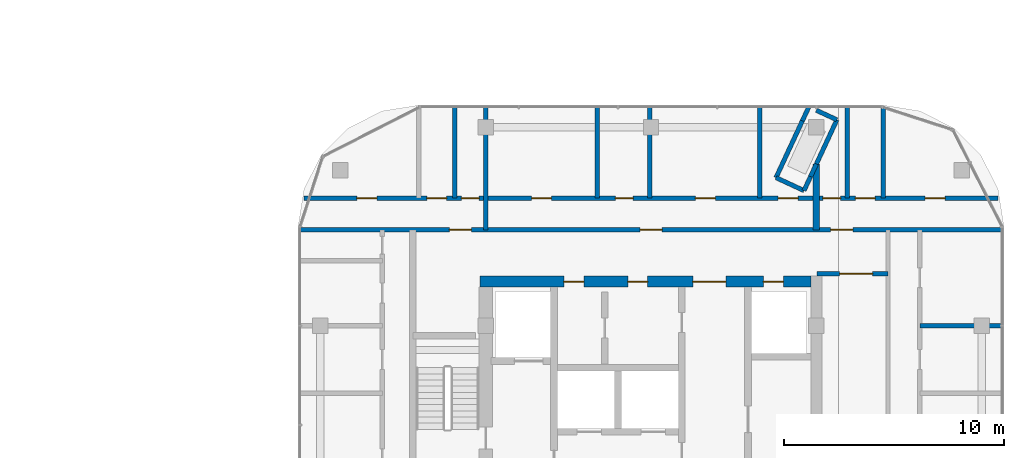
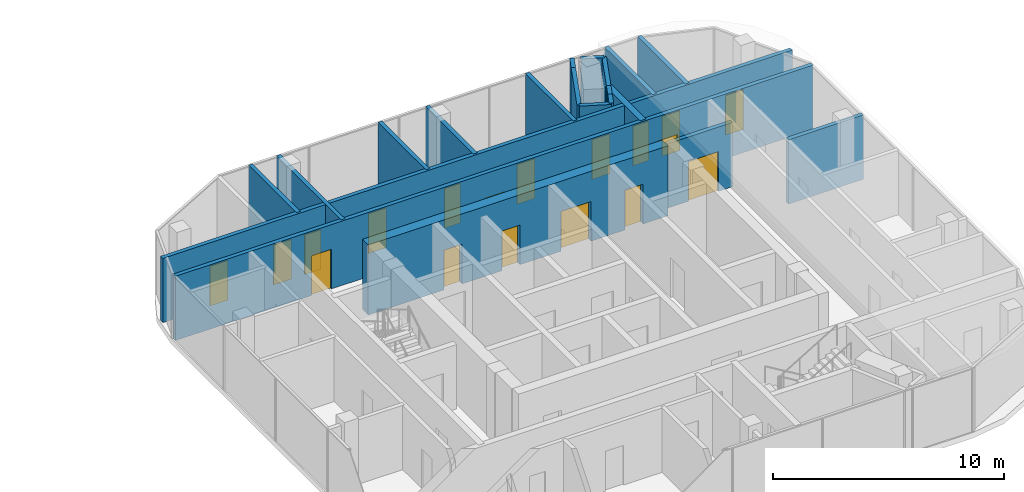
# One storey, part 26 of 35: 20 walls, 18 doors, 18 openings.
"""IFC4 building model written with IfcOpenShell, lengths in metres."""

from ifc_helpers import new_model, si_unit, direction, frame, frame_2d, origin, place, context, subcontext, project, spatial, rectangle, extrude, material, layer, layer_set, type_object, element, fill, save


model = new_model("IFC4")

# Units and contexts
model_context = context("Model", 3, precision=1e-05, world=origin(), true_north=direction((0.0, 1.0)))
body_context = subcontext(model_context, "Body", "Model", "MODEL_VIEW")
ifc_project = project(units=[si_unit("LENGTHUNIT", "METRE"), si_unit("AREAUNIT", "SQUARE_METRE"), si_unit("VOLUMEUNIT", "CUBIC_METRE"), si_unit("PLANEANGLEUNIT", "RADIAN"), si_unit("MASSUNIT", "GRAM", prefix="KILO")], contexts=[model_context])

# Site, building, storey
site_placement = place(None, origin())
site = spatial("IfcSite", under=ifc_project, at=site_placement, CompositionType="ELEMENT")
building_placement = place(site_placement, origin())
building = spatial("IfcBuilding", under=site, at=building_placement, Name="Ogive Portal Towers", CompositionType="ELEMENT")
storey_placement = place(building_placement, frame((0.0, 0.0, 90.800048828125)))
storey = spatial("IfcBuildingStorey", under=building, at=storey_placement, Name="L21", CompositionType="ELEMENT", Elevation=90.800048828125)

# Wall, openings, doors
ifc_material_1 = material(Name="Concrete C60/75", Category="concrete")
ifc_layer_1 = layer(ifc_material_1, 0.5)
ifc_layer_set_1 = layer_set([ifc_layer_1], Name="CORE WALL 500 C60")
wall_type_1 = type_object("IfcWallType", Name="CORE WALL 500 C60", PredefinedType="SHEAR", material=ifc_layer_set_1)
wall_1_placement = place(storey_placement, frame((128.75, 37.5, 0.0), z_axis=(0.0, 0.0, 1.0), x_axis=(1.0, 0.0, 0.0)))
wall_1 = element("IfcWall", 1, at=wall_1_placement, inside=storey, type_object=wall_type_1, Name="Tower B core wall BN L21", PredefinedType="SHEAR", context=body_context, shape_type="SweptSolid", body=[
    extrude(rectangle(XDim=15.0, YDim=0.5, at=frame_2d((7.5, 0.0))), origin(), (0.0, 0.0, 1.0), 3.699951171875),
])
opening_1_placement = place(wall_1_placement, frame((9.64990234375, 0.0, 0.0)))
opening_1 = element("IfcOpeningElement", 2, at=opening_1_placement, cuts=wall_1, Name="Opening B07-046", PredefinedType="OPENING", context=body_context, shape_type="SweptSolid", body=[
    extrude(rectangle(XDim=1.5, YDim=2.10009765625, at=frame_2d((0.75, 1.050048828125))), frame((0.0, 0.260009765625, 0.0), z_axis=(0.0, -1.0, 0.0), x_axis=(1.0, 0.0, 0.0)), (0.0, 0.0, 1.0), 0.52001953125),
])
opening_2_placement = place(wall_1_placement, frame((12.85009765625, 0.0, 0.0)))
opening_2 = element("IfcOpeningElement", 3, at=opening_2_placement, cuts=wall_1, Name="Opening B07-048", PredefinedType="OPENING", context=body_context, shape_type="SweptSolid", body=[
    extrude(rectangle(XDim=0.89990234375, YDim=2.10009765625, at=frame_2d((0.449951171875, 1.050048828125))), frame((0.0, 0.260009765625, 0.0), z_axis=(0.0, -1.0, 0.0), x_axis=(1.0, 0.0, 0.0)), (0.0, 0.0, 1.0), 0.52001953125),
])
opening_3_placement = place(wall_1_placement, frame((3.800048828125, 0.0, 0.0)))
opening_3 = element("IfcOpeningElement", 4, at=opening_3_placement, cuts=wall_1, Name="Opening B07-055", PredefinedType="OPENING", context=body_context, shape_type="SweptSolid", body=[
    extrude(rectangle(XDim=0.89990234375, YDim=2.10009765625, at=frame_2d((0.449951171875, 1.050048828125))), frame((0.0, 0.260009765625, 0.0), z_axis=(0.0, -1.0, 0.0), x_axis=(1.0, 0.0, 0.0)), (0.0, 0.0, 1.0), 0.52001953125),
])
opening_4_placement = place(wall_1_placement, frame((6.699951171875, 0.0, 0.0)))
opening_4 = element("IfcOpeningElement", 5, at=opening_4_placement, cuts=wall_1, Name="Opening B07-056", PredefinedType="OPENING", context=body_context, shape_type="SweptSolid", body=[
    extrude(rectangle(XDim=0.89990234375, YDim=2.10009765625, at=frame_2d((0.449951171875, 1.050048828125))), frame((0.0, 0.260009765625, 0.0), z_axis=(0.0, -1.0, 0.0), x_axis=(1.0, 0.0, 0.0)), (0.0, 0.0, 1.0), 0.52001953125),
])
ifc_material_2 = material(Name="Steel fire door", Category="steel")
door_type_1 = type_object("IfcDoorType", Name="DT-SWING-1500x2100-FD90S", OperationType="SINGLE_SWING_LEFT", PredefinedType="DOOR", material=ifc_material_2)
door_1_placement = place(opening_1_placement, origin())
door_1 = element("IfcDoor", 6, at=door_1_placement, inside=storey, type_object=door_type_1, Name="Door B07-046", OperationType="SINGLE_SWING_RIGHT", OverallHeight=2.10009765625, OverallWidth=1.5, PredefinedType="DOOR", context=body_context, shape_type="SweptSolid", body=[
    extrude(rectangle(XDim=1.5, YDim=2.10009765625, at=frame_2d((0.75, 1.050048828125))), frame((0.0, 0.02490234375, 0.0), z_axis=(0.0, -1.0, 0.0), x_axis=(1.0, 0.0, 0.0)), (0.0, 0.0, 1.0), 0.050048828125),
])
fill(opening_1, door_1)
door_type_2 = type_object("IfcDoorType", Name="DT-SWING-900x2100-FD90S", OperationType="SINGLE_SWING_LEFT", PredefinedType="DOOR", material=ifc_material_2)
door_2_placement = place(opening_2_placement, origin())
door_2 = element("IfcDoor", 7, at=door_2_placement, inside=storey, type_object=door_type_2, Name="Riser access door B07-048", OperationType="SINGLE_SWING_RIGHT", OverallHeight=2.10009765625, OverallWidth=0.89990234375, PredefinedType="DOOR", context=body_context, shape_type="SweptSolid", body=[
    extrude(rectangle(XDim=0.89990234375, YDim=2.10009765625, at=frame_2d((0.449951171875, 1.050048828125))), frame((0.0, 0.02490234375, 0.0), z_axis=(0.0, -1.0, 0.0), x_axis=(1.0, 0.0, 0.0)), (0.0, 0.0, 1.0), 0.050048828125),
])
fill(opening_2, door_2)
door_3_placement = place(opening_3_placement, origin())
door_3 = element("IfcDoor", 8, at=door_3_placement, inside=storey, type_object=door_type_2, Name="Door B07-055", OperationType="SINGLE_SWING_LEFT", OverallHeight=2.10009765625, OverallWidth=0.89990234375, PredefinedType="DOOR", context=body_context, shape_type="SweptSolid", body=[
    extrude(rectangle(XDim=0.89990234375, YDim=2.10009765625, at=frame_2d((0.449951171875, 1.050048828125))), frame((0.0, 0.02490234375, 0.0), z_axis=(0.0, -1.0, 0.0), x_axis=(1.0, 0.0, 0.0)), (0.0, 0.0, 1.0), 0.050048828125),
])
fill(opening_3, door_3)
door_4_placement = place(opening_4_placement, origin())
door_4 = element("IfcDoor", 9, at=door_4_placement, inside=storey, type_object=door_type_2, Name="Door B07-056", OperationType="SINGLE_SWING_RIGHT", OverallHeight=2.10009765625, OverallWidth=0.89990234375, PredefinedType="DOOR", context=body_context, shape_type="SweptSolid", body=[
    extrude(rectangle(XDim=0.89990234375, YDim=2.10009765625, at=frame_2d((0.449951171875, 1.050048828125))), frame((0.0, 0.02490234375, 0.0), z_axis=(0.0, -1.0, 0.0), x_axis=(1.0, 0.0, 0.0)), (0.0, 0.0, 1.0), 0.050048828125),
])
fill(opening_4, door_4)

# Walls
ifc_material_3 = material(Name="Gypsum board partition on steel studs", Category="steel")
ifc_layer_2 = layer(ifc_material_3, 0.199951171875)
ifc_layer_set_2 = layer_set([ifc_layer_2], Name="WT-PART-200-EI 60")
wall_type_2 = type_object("IfcWallType", Name="WT-PART-200-EI 60", PredefinedType="PARTITIONING", material=ifc_layer_set_2)
wall_2_placement = place(storey_placement, frame((142.1689453125, 42.218017578125, 0.0), z_axis=(0.0, 0.0, 1.0), x_axis=(0.906890025327, -0.421367395466, 0.0)))
element("IfcWall", 10, at=wall_2_placement, inside=storey, type_object=wall_type_2, Name="Wall L21:w001", PredefinedType="PARTITIONING", context=body_context, shape_type="SweptSolid", body=[
    extrude(rectangle(XDim=1.400390625, YDim=0.199951171875, at=frame_2d((0.7001953125, 0.0))), origin(), (0.0, 0.0, 1.0), 3.39990234375),
])
wall_3_placement = place(storey_placement, frame((142.1689453125, 42.218017578125, 0.0), z_axis=(0.0, 0.0, 1.0), x_axis=(0.421002733132, 0.907059368893, 0.0)))
element("IfcWall", 11, at=wall_3_placement, inside=storey, type_object=wall_type_2, Name="Wall L21:w003", PredefinedType="PARTITIONING", context=body_context, shape_type="SweptSolid", body=[
    extrude(rectangle(XDim=2.841064453125, YDim=0.199951171875, at=frame_2d((1.42041015625, 0.0))), origin(), (0.0, 0.0, 1.0), 3.39990234375),
])
wall_4_placement = place(storey_placement, frame((143.43896484375, 41.6279296875, 0.0), z_axis=(0.0, 0.0, 1.0), x_axis=(0.421223998033, 0.906956638148, 0.0)))
element("IfcWall", 12, at=wall_4_placement, inside=storey, type_object=wall_type_2, Name="Wall L21:w004", PredefinedType="PARTITIONING", context=body_context, shape_type="SweptSolid", body=[
    extrude(rectangle(XDim=0.7001953125, YDim=0.199951171875, at=frame_2d((0.35009765625, 0.0))), origin(), (0.0, 0.0, 1.0), 3.39990234375),
])
wall_5_placement = place(storey_placement, frame((143.364990234375, 44.794921875, 0.0), z_axis=(0.0, 0.0, 1.0), x_axis=(0.421776680367, 0.90669974738, 0.0)))
element("IfcWall", 13, at=wall_5_placement, inside=storey, type_object=wall_type_2, Name="Wall L21:w005", PredefinedType="PARTITIONING", context=body_context, shape_type="SweptSolid", body=[
    extrude(rectangle(XDim=0.71142578125, YDim=0.199951171875, at=frame_2d((0.355712890625, 0.0))), origin(), (0.0, 0.0, 1.0), 3.39990234375),
])
wall_6_placement = place(storey_placement, frame((143.73388671875, 42.262939453125, 0.0), z_axis=(0.0, 0.0, 1.0), x_axis=(0.420623716183, 0.907235189675, 0.0)))
element("IfcWall", 14, at=wall_6_placement, inside=storey, type_object=wall_type_2, Name="Wall L21:w006", PredefinedType="PARTITIONING", context=body_context, shape_type="SweptSolid", body=[
    extrude(rectangle(XDim=0.632568359375, YDim=0.199951171875, at=frame_2d((0.31640625, 0.0))), origin(), (0.0, 0.0, 1.0), 3.39990234375),
])
wall_7_placement = place(storey_placement, frame((144.0, 42.8369140625, 0.0), z_axis=(0.0, 0.0, 1.0), x_axis=(0.421069082826, 0.907028570382, 0.0)))
element("IfcWall", 15, at=wall_7_placement, inside=storey, type_object=wall_type_2, Name="Wall L21:w008", PredefinedType="PARTITIONING", context=body_context, shape_type="SweptSolid", body=[
    extrude(rectangle(XDim=2.20849609375, YDim=0.199951171875, at=frame_2d((1.104248046875, 0.0))), origin(), (0.0, 0.0, 1.0), 3.39990234375),
])
wall_8_placement = place(storey_placement, frame((144.0, 45.27197265625, 0.0), z_axis=(0.0, 0.0, 1.0), x_axis=(0.906960240365, -0.42121624185, 0.0)))
element("IfcWall", 16, at=wall_8_placement, inside=storey, type_object=wall_type_2, Name="Wall L21:w011", PredefinedType="PARTITIONING", context=body_context, shape_type="SweptSolid", body=[
    extrude(rectangle(XDim=1.025390625, YDim=0.199951171875, at=frame_2d((0.5126953125, 0.0))), origin(), (0.0, 0.0, 1.0), 3.39990234375),
])
wall_9_placement = place(storey_placement, frame((148.68994140625, 35.5, 0.0), z_axis=(0.0, 0.0, 1.0), x_axis=(1.0, 0.0, 0.0)))
element("IfcWall", 17, at=wall_9_placement, inside=storey, type_object=wall_type_2, Name="Wall L21:w026", PredefinedType="PARTITIONING", context=body_context, shape_type="SweptSolid", body=[
    extrude(rectangle(XDim=3.75, YDim=0.199951171875, at=frame_2d((1.875, 0.0))), origin(), (0.0, 0.0, 1.0), 3.39990234375),
])

# Wall, opening, door
wall_10_placement = place(storey_placement, frame((144.02001953125, 37.85009765625, 0.0), z_axis=(0.0, 0.0, 1.0), x_axis=(1.0, 0.0, 0.0)))
wall_10 = element("IfcWall", 18, at=wall_10_placement, inside=storey, type_object=wall_type_2, Name="Wall L21:w028", PredefinedType="PARTITIONING", context=body_context, shape_type="SweptSolid", body=[
    extrude(rectangle(XDim=3.22998046875, YDim=0.199951171875, at=frame_2d((1.614990234375, 0.0))), origin(), (0.0, 0.0, 1.0), 3.39990234375),
])
opening_5_placement = place(wall_10_placement, frame((1.030029296875, 0.0, 0.0)))
opening_5 = element("IfcOpeningElement", 19, at=opening_5_placement, cuts=wall_10, Name="Opening B07-001", PredefinedType="OPENING", context=body_context, shape_type="SweptSolid", body=[
    extrude(rectangle(XDim=1.5, YDim=2.10009765625, at=frame_2d((0.75, 1.050048828125))), frame((0.0, 0.10986328125, 0.0), z_axis=(0.0, -1.0, 0.0), x_axis=(1.0, 0.0, 0.0)), (0.0, 0.0, 1.0), 0.219970703125),
])
door_type_3 = type_object("IfcDoorType", Name="DT-SWING-1500x2100-FD60S", OperationType="SINGLE_SWING_LEFT", PredefinedType="DOOR", material=ifc_material_2)
door_5_placement = place(opening_5_placement, origin())
door_5 = element("IfcDoor", 20, at=door_5_placement, inside=storey, type_object=door_type_3, Name="Door B07-001", OperationType="SINGLE_SWING_LEFT", OverallHeight=2.10009765625, OverallWidth=1.5, PredefinedType="DOOR", context=body_context, shape_type="SweptSolid", body=[
    extrude(rectangle(XDim=1.5, YDim=2.10009765625, at=frame_2d((0.75, 1.050048828125))), frame((0.0, 0.02490234375, 0.0), z_axis=(0.0, -1.0, 0.0), x_axis=(1.0, 0.0, 0.0)), (0.0, 0.0, 1.0), 0.050048828125),
])
fill(opening_5, door_5)

# Wall, openings, doors
wall_11_placement = place(storey_placement, frame((120.56005859375, 39.85009765625, 0.0), z_axis=(0.0, 0.0, 1.0), x_axis=(1.0, 0.0, 0.0)))
wall_11 = element("IfcWall", 21, at=wall_11_placement, inside=storey, type_object=wall_type_2, Name="Wall L21:w030", PredefinedType="PARTITIONING", context=body_context, shape_type="SweptSolid", body=[
    extrude(rectangle(XDim=31.8798828125, YDim=0.199951171875, at=frame_2d((15.93994140625, 0.0))), origin(), (0.0, 0.0, 1.0), 3.39990234375),
])
opening_6_placement = place(wall_11_placement, frame((6.7900390625, 0.0, 0.0)))
opening_6 = element("IfcOpeningElement", 22, at=opening_6_placement, cuts=wall_11, Name="Opening B07-005", PredefinedType="OPENING", context=body_context, shape_type="SweptSolid", body=[
    extrude(rectangle(XDim=1.0, YDim=2.10009765625, at=frame_2d((0.5, 1.050048828125))), frame((0.0, 0.10986328125, 0.0), z_axis=(0.0, -1.0, 0.0), x_axis=(1.0, 0.0, 0.0)), (0.0, 0.0, 1.0), 0.219970703125),
])
opening_7_placement = place(wall_11_placement, frame((15.43994140625, 0.0, 0.0)))
opening_7 = element("IfcOpeningElement", 23, at=opening_7_placement, cuts=wall_11, Name="Opening B07-009", PredefinedType="OPENING", context=body_context, shape_type="SweptSolid", body=[
    extrude(rectangle(XDim=1.0, YDim=2.10009765625, at=frame_2d((0.5, 1.050048828125))), frame((0.0, 0.10986328125, 0.0), z_axis=(0.0, -1.0, 0.0), x_axis=(1.0, 0.0, 0.0)), (0.0, 0.0, 1.0), 0.219970703125),
])
opening_8_placement = place(wall_11_placement, frame((24.090087890625, 0.0, 0.0)))
opening_8 = element("IfcOpeningElement", 24, at=opening_8_placement, cuts=wall_11, Name="Opening B07-014", PredefinedType="OPENING", context=body_context, shape_type="SweptSolid", body=[
    extrude(rectangle(XDim=1.0, YDim=2.10009765625, at=frame_2d((0.5, 1.050048828125))), frame((0.0, 0.10986328125, 0.0), z_axis=(0.0, -1.0, 0.0), x_axis=(1.0, 0.0, 0.0)), (0.0, 0.0, 1.0), 0.219970703125),
])
door_type_4 = type_object("IfcDoorType", Name="DT-SWING-1000x2100-FD60S", OperationType="SINGLE_SWING_LEFT", PredefinedType="DOOR", material=ifc_material_2)
door_6_placement = place(opening_6_placement, origin())
door_6 = element("IfcDoor", 25, at=door_6_placement, inside=storey, type_object=door_type_4, Name="Door B07-005", OperationType="SINGLE_SWING_LEFT", OverallHeight=2.10009765625, OverallWidth=1.0, PredefinedType="DOOR", context=body_context, shape_type="SweptSolid", body=[
    extrude(rectangle(XDim=1.0, YDim=2.10009765625, at=frame_2d((0.5, 1.050048828125))), frame((0.0, 0.02490234375, 0.0), z_axis=(0.0, -1.0, 0.0), x_axis=(1.0, 0.0, 0.0)), (0.0, 0.0, 1.0), 0.050048828125),
])
fill(opening_6, door_6)
door_7_placement = place(opening_7_placement, origin())
door_7 = element("IfcDoor", 26, at=door_7_placement, inside=storey, type_object=door_type_4, Name="Door B07-009", OperationType="SINGLE_SWING_LEFT", OverallHeight=2.10009765625, OverallWidth=1.0, PredefinedType="DOOR", context=body_context, shape_type="SweptSolid", body=[
    extrude(rectangle(XDim=1.0, YDim=2.10009765625, at=frame_2d((0.5, 1.050048828125))), frame((0.0, 0.02490234375, 0.0), z_axis=(0.0, -1.0, 0.0), x_axis=(1.0, 0.0, 0.0)), (0.0, 0.0, 1.0), 0.050048828125),
])
fill(opening_7, door_7)
door_8_placement = place(opening_8_placement, origin())
door_8 = element("IfcDoor", 27, at=door_8_placement, inside=storey, type_object=door_type_4, Name="Door B07-014", OperationType="SINGLE_SWING_RIGHT", OverallHeight=2.10009765625, OverallWidth=1.0, PredefinedType="DOOR", context=body_context, shape_type="SweptSolid", body=[
    extrude(rectangle(XDim=1.0, YDim=2.10009765625, at=frame_2d((0.5, 1.050048828125))), frame((0.0, 0.02490234375, 0.0), z_axis=(0.0, -1.0, 0.0), x_axis=(1.0, 0.0, 0.0)), (0.0, 0.0, 1.0), 0.050048828125),
])
fill(opening_8, door_8)

wall_12_placement = place(storey_placement, frame((120.764892578125, 41.2900390625, 0.0), z_axis=(0.0, 0.0, 1.0), x_axis=(1.0, 0.0, 0.0)))
wall_12 = element("IfcWall", 28, at=wall_12_placement, inside=storey, type_object=wall_type_2, Name="Wall L21:w031", PredefinedType="PARTITIONING", context=body_context, shape_type="SweptSolid", body=[
    extrude(rectangle(XDim=31.47021484375, YDim=0.199951171875, at=frame_2d((15.735107421875, 0.0))), origin(), (0.0, 0.0, 1.0), 3.39990234375),
])
opening_9_placement = place(wall_12_placement, frame((2.39697265625, 0.0, 0.0)))
opening_9 = element("IfcOpeningElement", 29, at=opening_9_placement, cuts=wall_12, Name="Opening B07-006", PredefinedType="OPENING", context=body_context, shape_type="SweptSolid", body=[
    extrude(rectangle(XDim=0.89990234375, YDim=2.10009765625, at=frame_2d((0.449951171875, 1.050048828125))), frame((0.0, 0.10986328125, 0.0), z_axis=(0.0, -1.0, 0.0), x_axis=(1.0, 0.0, 0.0)), (0.0, 0.0, 1.0), 0.219970703125),
])
opening_10_placement = place(wall_12_placement, frame((5.56591796875, 0.0, 0.0)))
opening_10 = element("IfcOpeningElement", 30, at=opening_10_placement, cuts=wall_12, Name="Opening B07-007", PredefinedType="OPENING", context=body_context, shape_type="SweptSolid", body=[
    extrude(rectangle(XDim=0.89990234375, YDim=2.10009765625, at=frame_2d((0.449951171875, 1.050048828125))), frame((0.0, 0.10986328125, 0.0), z_axis=(0.0, -1.0, 0.0), x_axis=(1.0, 0.0, 0.0)), (0.0, 0.0, 1.0), 0.219970703125),
])
opening_11_placement = place(wall_12_placement, frame((7.135009765625, 0.0, 0.0)))
opening_11 = element("IfcOpeningElement", 31, at=opening_11_placement, cuts=wall_12, Name="Opening B07-008", PredefinedType="OPENING", context=body_context, shape_type="SweptSolid", body=[
    extrude(rectangle(XDim=0.800048828125, YDim=2.10009765625, at=frame_2d((0.39990234375, 1.050048828125))), frame((0.0, 0.10986328125, 0.0), z_axis=(0.0, -1.0, 0.0), x_axis=(1.0, 0.0, 0.0)), (0.0, 0.0, 1.0), 0.219970703125),
])
opening_12_placement = place(wall_12_placement, frame((10.319091796875, 0.0, 0.0)))
opening_12 = element("IfcOpeningElement", 32, at=opening_12_placement, cuts=wall_12, Name="Opening B07-010", PredefinedType="OPENING", context=body_context, shape_type="SweptSolid", body=[
    extrude(rectangle(XDim=0.89990234375, YDim=2.10009765625, at=frame_2d((0.449951171875, 1.050048828125))), frame((0.0, 0.10986328125, 0.0), z_axis=(0.0, -1.0, 0.0), x_axis=(1.0, 0.0, 0.0)), (0.0, 0.0, 1.0), 0.219970703125),
])
opening_13_placement = place(wall_12_placement, frame((14.118896484375, 0.0, 0.0)))
opening_13 = element("IfcOpeningElement", 33, at=opening_13_placement, cuts=wall_12, Name="Opening B07-011", PredefinedType="OPENING", context=body_context, shape_type="SweptSolid", body=[
    extrude(rectangle(XDim=0.800048828125, YDim=2.10009765625, at=frame_2d((0.39990234375, 1.050048828125))), frame((0.0, 0.10986328125, 0.0), z_axis=(0.0, -1.0, 0.0), x_axis=(1.0, 0.0, 0.0)), (0.0, 0.0, 1.0), 0.219970703125),
])
opening_14_placement = place(wall_12_placement, frame((17.751953125, 0.0, 0.0)))
opening_14 = element("IfcOpeningElement", 34, at=opening_14_placement, cuts=wall_12, Name="Opening B07-012", PredefinedType="OPENING", context=body_context, shape_type="SweptSolid", body=[
    extrude(rectangle(XDim=0.89990234375, YDim=2.10009765625, at=frame_2d((0.449951171875, 1.050048828125))), frame((0.0, 0.10986328125, 0.0), z_axis=(0.0, -1.0, 0.0), x_axis=(1.0, 0.0, 0.0)), (0.0, 0.0, 1.0), 0.219970703125),
])
opening_15_placement = place(wall_12_placement, frame((21.501953125, 0.0, 0.0)))
opening_15 = element("IfcOpeningElement", 35, at=opening_15_placement, cuts=wall_12, Name="Opening B07-013", PredefinedType="OPENING", context=body_context, shape_type="SweptSolid", body=[
    extrude(rectangle(XDim=0.89990234375, YDim=2.10009765625, at=frame_2d((0.449951171875, 1.050048828125))), frame((0.0, 0.10986328125, 0.0), z_axis=(0.0, -1.0, 0.0), x_axis=(1.0, 0.0, 0.0)), (0.0, 0.0, 1.0), 0.219970703125),
])
opening_16_placement = place(wall_12_placement, frame((23.534912109375, 0.0, 0.0)))
opening_16 = element("IfcOpeningElement", 36, at=opening_16_placement, cuts=wall_12, Name="Opening B07-015", PredefinedType="OPENING", context=body_context, shape_type="SweptSolid", body=[
    extrude(rectangle(XDim=0.800048828125, YDim=2.10009765625, at=frame_2d((0.39990234375, 1.050048828125))), frame((0.0, 0.10986328125, 0.0), z_axis=(0.0, -1.0, 0.0), x_axis=(1.0, 0.0, 0.0)), (0.0, 0.0, 1.0), 0.219970703125),
])
opening_17_placement = place(wall_12_placement, frame((25.00390625, 0.0, 0.0)))
opening_17 = element("IfcOpeningElement", 37, at=opening_17_placement, cuts=wall_12, Name="Opening B07-016", PredefinedType="OPENING", context=body_context, shape_type="SweptSolid", body=[
    extrude(rectangle(XDim=0.89990234375, YDim=2.10009765625, at=frame_2d((0.449951171875, 1.050048828125))), frame((0.0, 0.10986328125, 0.0), z_axis=(0.0, -1.0, 0.0), x_axis=(1.0, 0.0, 0.0)), (0.0, 0.0, 1.0), 0.219970703125),
])
opening_18_placement = place(wall_12_placement, frame((28.173095703125, 0.0, 0.0)))
opening_18 = element("IfcOpeningElement", 38, at=opening_18_placement, cuts=wall_12, Name="Opening B07-017", PredefinedType="OPENING", context=body_context, shape_type="SweptSolid", body=[
    extrude(rectangle(XDim=0.89990234375, YDim=2.10009765625, at=frame_2d((0.449951171875, 1.050048828125))), frame((0.0, 0.10986328125, 0.0), z_axis=(0.0, -1.0, 0.0), x_axis=(1.0, 0.0, 0.0)), (0.0, 0.0, 1.0), 0.219970703125),
])
door_type_5 = type_object("IfcDoorType", Name="DT-SWING-800x2100-FD60S", OperationType="SINGLE_SWING_LEFT", PredefinedType="DOOR", material=ifc_material_2)
door_9_placement = place(opening_11_placement, origin())
door_9 = element("IfcDoor", 39, at=door_9_placement, inside=storey, type_object=door_type_5, Name="Door B07-008", OperationType="SINGLE_SWING_RIGHT", OverallHeight=2.10009765625, OverallWidth=0.800048828125, PredefinedType="DOOR", context=body_context, shape_type="SweptSolid", body=[
    extrude(rectangle(XDim=0.800048828125, YDim=2.10009765625, at=frame_2d((0.39990234375, 1.050048828125))), frame((0.0, 0.02490234375, 0.0), z_axis=(0.0, -1.0, 0.0), x_axis=(1.0, 0.0, 0.0)), (0.0, 0.0, 1.0), 0.050048828125),
])
fill(opening_11, door_9)
door_10_placement = place(opening_13_placement, origin())
door_10 = element("IfcDoor", 40, at=door_10_placement, inside=storey, type_object=door_type_5, Name="Door B07-011", OperationType="SINGLE_SWING_LEFT", OverallHeight=2.10009765625, OverallWidth=0.800048828125, PredefinedType="DOOR", context=body_context, shape_type="SweptSolid", body=[
    extrude(rectangle(XDim=0.800048828125, YDim=2.10009765625, at=frame_2d((0.39990234375, 1.050048828125))), frame((0.0, 0.02490234375, 0.0), z_axis=(0.0, -1.0, 0.0), x_axis=(1.0, 0.0, 0.0)), (0.0, 0.0, 1.0), 0.050048828125),
])
fill(opening_13, door_10)
door_11_placement = place(opening_16_placement, origin())
door_11 = element("IfcDoor", 41, at=door_11_placement, inside=storey, type_object=door_type_5, Name="Door B07-015", OperationType="SINGLE_SWING_LEFT", OverallHeight=2.10009765625, OverallWidth=0.800048828125, PredefinedType="DOOR", context=body_context, shape_type="SweptSolid", body=[
    extrude(rectangle(XDim=0.800048828125, YDim=2.10009765625, at=frame_2d((0.39990234375, 1.050048828125))), frame((0.0, 0.02490234375, 0.0), z_axis=(0.0, -1.0, 0.0), x_axis=(1.0, 0.0, 0.0)), (0.0, 0.0, 1.0), 0.050048828125),
])
fill(opening_16, door_11)
door_type_6 = type_object("IfcDoorType", Name="DT-SWING-900x2100-FD60S", OperationType="SINGLE_SWING_LEFT", PredefinedType="DOOR", material=ifc_material_2)
door_12_placement = place(opening_9_placement, origin())
door_12 = element("IfcDoor", 42, at=door_12_placement, inside=storey, type_object=door_type_6, Name="Door B07-006", OperationType="SINGLE_SWING_RIGHT", OverallHeight=2.10009765625, OverallWidth=0.89990234375, PredefinedType="DOOR", context=body_context, shape_type="SweptSolid", body=[
    extrude(rectangle(XDim=0.89990234375, YDim=2.10009765625, at=frame_2d((0.449951171875, 1.050048828125))), frame((0.0, 0.02490234375, 0.0), z_axis=(0.0, -1.0, 0.0), x_axis=(1.0, 0.0, 0.0)), (0.0, 0.0, 1.0), 0.050048828125),
])
fill(opening_9, door_12)
door_13_placement = place(opening_10_placement, origin())
door_13 = element("IfcDoor", 43, at=door_13_placement, inside=storey, type_object=door_type_6, Name="Door B07-007", OperationType="SINGLE_SWING_LEFT", OverallHeight=2.10009765625, OverallWidth=0.89990234375, PredefinedType="DOOR", context=body_context, shape_type="SweptSolid", body=[
    extrude(rectangle(XDim=0.89990234375, YDim=2.10009765625, at=frame_2d((0.449951171875, 1.050048828125))), frame((0.0, 0.02490234375, 0.0), z_axis=(0.0, -1.0, 0.0), x_axis=(1.0, 0.0, 0.0)), (0.0, 0.0, 1.0), 0.050048828125),
])
fill(opening_10, door_13)
door_14_placement = place(opening_12_placement, origin())
door_14 = element("IfcDoor", 44, at=door_14_placement, inside=storey, type_object=door_type_6, Name="Door B07-010", OperationType="SINGLE_SWING_RIGHT", OverallHeight=2.10009765625, OverallWidth=0.89990234375, PredefinedType="DOOR", context=body_context, shape_type="SweptSolid", body=[
    extrude(rectangle(XDim=0.89990234375, YDim=2.10009765625, at=frame_2d((0.449951171875, 1.050048828125))), frame((0.0, 0.02490234375, 0.0), z_axis=(0.0, -1.0, 0.0), x_axis=(1.0, 0.0, 0.0)), (0.0, 0.0, 1.0), 0.050048828125),
])
fill(opening_12, door_14)
door_15_placement = place(opening_14_placement, origin())
door_15 = element("IfcDoor", 45, at=door_15_placement, inside=storey, type_object=door_type_6, Name="Door B07-012", OperationType="SINGLE_SWING_RIGHT", OverallHeight=2.10009765625, OverallWidth=0.89990234375, PredefinedType="DOOR", context=body_context, shape_type="SweptSolid", body=[
    extrude(rectangle(XDim=0.89990234375, YDim=2.10009765625, at=frame_2d((0.449951171875, 1.050048828125))), frame((0.0, 0.02490234375, 0.0), z_axis=(0.0, -1.0, 0.0), x_axis=(1.0, 0.0, 0.0)), (0.0, 0.0, 1.0), 0.050048828125),
])
fill(opening_14, door_15)
door_16_placement = place(opening_15_placement, origin())
door_16 = element("IfcDoor", 46, at=door_16_placement, inside=storey, type_object=door_type_6, Name="Door B07-013", OperationType="SINGLE_SWING_LEFT", OverallHeight=2.10009765625, OverallWidth=0.89990234375, PredefinedType="DOOR", context=body_context, shape_type="SweptSolid", body=[
    extrude(rectangle(XDim=0.89990234375, YDim=2.10009765625, at=frame_2d((0.449951171875, 1.050048828125))), frame((0.0, 0.02490234375, 0.0), z_axis=(0.0, -1.0, 0.0), x_axis=(1.0, 0.0, 0.0)), (0.0, 0.0, 1.0), 0.050048828125),
])
fill(opening_15, door_16)
door_17_placement = place(opening_17_placement, origin())
door_17 = element("IfcDoor", 47, at=door_17_placement, inside=storey, type_object=door_type_6, Name="Door B07-016", OperationType="SINGLE_SWING_RIGHT", OverallHeight=2.10009765625, OverallWidth=0.89990234375, PredefinedType="DOOR", context=body_context, shape_type="SweptSolid", body=[
    extrude(rectangle(XDim=0.89990234375, YDim=2.10009765625, at=frame_2d((0.449951171875, 1.050048828125))), frame((0.0, 0.02490234375, 0.0), z_axis=(0.0, -1.0, 0.0), x_axis=(1.0, 0.0, 0.0)), (0.0, 0.0, 1.0), 0.050048828125),
])
fill(opening_17, door_17)
door_18_placement = place(opening_18_placement, origin())
door_18 = element("IfcDoor", 48, at=door_18_placement, inside=storey, type_object=door_type_6, Name="Door B07-017", OperationType="SINGLE_SWING_LEFT", OverallHeight=2.10009765625, OverallWidth=0.89990234375, PredefinedType="DOOR", context=body_context, shape_type="SweptSolid", body=[
    extrude(rectangle(XDim=0.89990234375, YDim=2.10009765625, at=frame_2d((0.449951171875, 1.050048828125))), frame((0.0, 0.02490234375, 0.0), z_axis=(0.0, -1.0, 0.0), x_axis=(1.0, 0.0, 0.0)), (0.0, 0.0, 1.0), 0.050048828125),
])
fill(opening_18, door_18)

# Walls
wall_13_placement = place(storey_placement, frame((127.60107421875, 41.2900390625, 0.0), z_axis=(0.0, 0.0, 1.0), x_axis=(0.0, 1.0, 0.0)))
element("IfcWall", 49, at=wall_13_placement, inside=storey, type_object=wall_type_2, Name="Wall L21:w036", PredefinedType="PARTITIONING", context=body_context, shape_type="SweptSolid", body=[
    extrude(rectangle(XDim=4.14990234375, YDim=0.199951171875, at=frame_2d((2.074951171875, 0.0))), origin(), (0.0, 0.0, 1.0), 3.39990234375),
])
wall_14_placement = place(storey_placement, frame((129.0, 39.85009765625, 0.0), z_axis=(0.0, 0.0, 1.0), x_axis=(0.0, 1.0, 0.0)))
element("IfcWall", 50, at=wall_14_placement, inside=storey, type_object=wall_type_2, Name="Wall L21:w040", PredefinedType="PARTITIONING", context=body_context, shape_type="SweptSolid", body=[
    extrude(rectangle(XDim=5.58984375, YDim=0.199951171875, at=frame_2d((2.794921875, 0.0))), origin(), (0.0, 0.0, 1.0), 3.39990234375),
])
for number, where, z_axis, x_axis, name in (
    (51, (134.069091796875, 41.2900390625, 0.0), (0.0, 0.0, 1.0), (0.0, 1.0, 0.0), "Wall L21:w042"),
    (52, (136.449951171875, 41.2900390625, 0.0), (0.0, 0.0, 1.0), (0.0, 1.0, 0.0), "Wall L21:w045"),
    (53, (141.43310546875, 41.2900390625, 0.0), (0.0, 0.0, 1.0), (0.0, 1.0, 0.0), "Wall L21:w047"),
    (54, (145.39892578125, 41.2900390625, 0.0), (0.0, 0.0, 1.0), (0.0, 1.0, 0.0), "Wall L21:w053"),
):
    element("IfcWall", number, at=place(storey_placement, frame(where, z_axis=z_axis, x_axis=x_axis)), inside=storey, type_object=wall_type_2, Name=name, PredefinedType="PARTITIONING", context=body_context, shape_type="SweptSolid", body=[
        extrude(rectangle(XDim=4.14990234375, YDim=0.199951171875, at=frame_2d((2.074951171875, 0.0))), origin(), (0.0, 0.0, 1.0), 3.39990234375),
    ])
wall_15_placement = place(storey_placement, frame((147.0380859375, 41.2900390625, 0.0), z_axis=(0.0, 0.0, 1.0), x_axis=(0.0, 1.0, 0.0)))
element("IfcWall", 55, at=wall_15_placement, inside=storey, type_object=wall_type_2, Name="Wall L21:w055", PredefinedType="PARTITIONING", context=body_context, shape_type="SweptSolid", body=[
    extrude(rectangle(XDim=4.14306640625, YDim=0.199951171875, at=frame_2d((2.071533203125, 0.0))), origin(), (0.0, 0.0, 1.0), 3.39990234375),
])
ifc_layer_3 = layer(ifc_material_3, 0.300048828125)
ifc_layer_set_3 = layer_set([ifc_layer_3], Name="WT-PART-300-EI 60")
wall_type_3 = type_object("IfcWallType", Name="WT-PART-300-EI 60", PredefinedType="PARTITIONING", material=ifc_layer_set_3)
wall_16_placement = place(storey_placement, frame((144.0, 39.85009765625, 0.0), z_axis=(0.0, 0.0, 1.0), x_axis=(0.0, 1.0, 0.0)))
element("IfcWall", 56, at=wall_16_placement, inside=storey, type_object=wall_type_3, Name="Wall L21:w049", PredefinedType="PARTITIONING", context=body_context, shape_type="SweptSolid", body=[
    extrude(rectangle(XDim=2.98681640625, YDim=0.300048828125, at=frame_2d((1.493408203125, 0.0))), origin(), (0.0, 0.0, 1.0), 3.39990234375),
])

save(model, "model.ifc")
